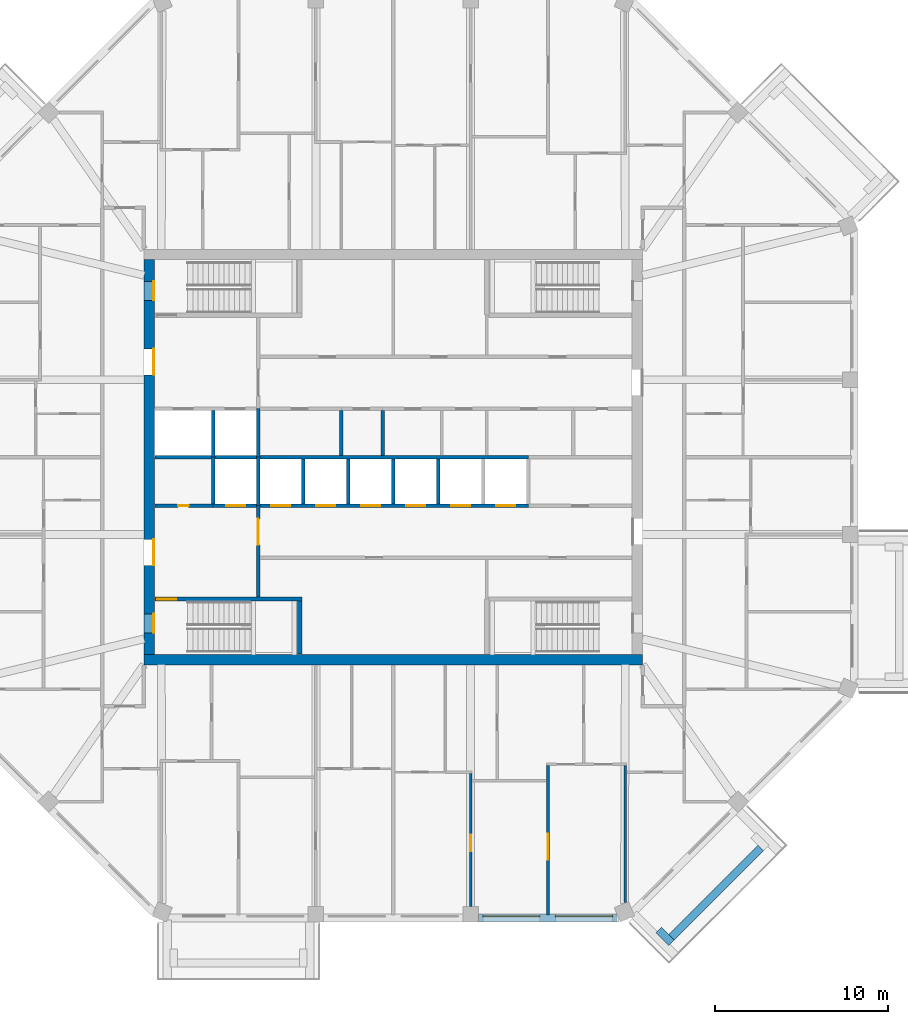
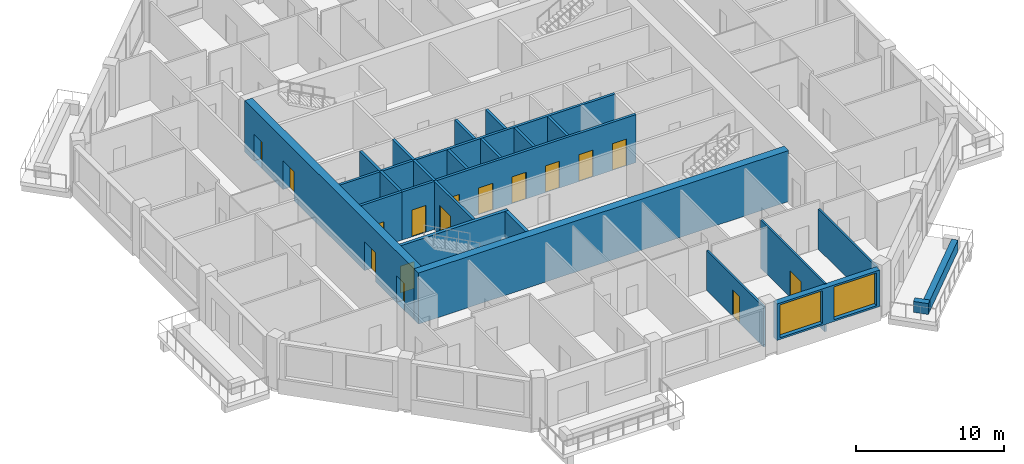
# One storey, part 4 of 11: 24 walls, 16 doors, 2 windows, 18 openings.
"""IFC4 building model written with IfcOpenShell, lengths in metres."""

from ifc_helpers import new_model, si_unit, direction, frame, frame_2d, origin, place, context, subcontext, project, spatial, rectangle, extrude, material, layer, layer_set, type_object, element, fill, save


model = new_model("IFC4")

# Units and contexts
model_context = context("Model", 3, precision=1e-05, world=origin(), true_north=direction((0.0, 1.0)))
body_context = subcontext(model_context, "Body", "Model", "MODEL_VIEW")
ifc_project = project(units=[si_unit("LENGTHUNIT", "METRE"), si_unit("AREAUNIT", "SQUARE_METRE"), si_unit("VOLUMEUNIT", "CUBIC_METRE"), si_unit("PLANEANGLEUNIT", "RADIAN"), si_unit("MASSUNIT", "GRAM", prefix="KILO")], contexts=[model_context])

# Site, building, storey
site_placement = place(None, origin())
site = spatial("IfcSite", under=ifc_project, at=site_placement, CompositionType="ELEMENT")
building_placement = place(site_placement, origin())
building = spatial("IfcBuilding", under=site, at=building_placement, Name="Msitu Wima Residences", CompositionType="ELEMENT")
storey_placement = place(building_placement, frame((0.0, 0.0, 230.699951171875)))
storey = spatial("IfcBuildingStorey", under=building, at=storey_placement, Name="L53", CompositionType="ELEMENT", Elevation=230.699951171875)

# Walls
ifc_material_1 = material(Name="Facing brick")
ifc_layer_1 = layer(ifc_material_1, 0.06494140625, Name="Facing brick")
ifc_material_2 = material(Name="Concrete C40/50", Category="concrete")
ifc_layer_2 = layer(ifc_material_2, 0.156005859375, Name="Concrete C40/50")
ifc_material_3 = material(Name="Waterproofing membrane")
ifc_layer_3 = layer(ifc_material_3, 0.00390625, Name="Waterproofing membrane")
ifc_material_4 = material(Name="Planting soil and planting")
ifc_layer_4 = layer(ifc_material_4, 0.22509765625, Name="Planting soil and planting")
ifc_layer_set_1 = layer_set([ifc_layer_1, ifc_layer_2, ifc_layer_3, ifc_layer_4], Name="Concrete C40/50")
wall_type_1 = type_object("IfcWallType", Name="Balcony planter PLANTER PL450", PredefinedType="USERDEFINED", material=ifc_layer_set_1)
wall_1_placement = place(storey_placement, frame((16.0751953125, -27.725830078125, 0.0), z_axis=(0.0, 0.0, 1.0), x_axis=(0.707106781187, 0.707106781187, 0.0)))
element("IfcWall", 1, at=wall_1_placement, inside=storey, type_object=wall_type_1, Name="Balcony planter SE0 L53", ObjectType="PLANTER", PredefinedType="USERDEFINED", context=body_context, shape_type="SweptSolid", body=[
    extrude(rectangle(XDim=7.288330078125, YDim=0.449951171875, at=frame_2d((3.64404296875, 0.0))), origin(), (0.0, 0.0, 1.0), 0.900146484375),
])
wall_2_placement = place(storey_placement, frame((15.332763671875, -27.301513671875, 0.0), z_axis=(0.0, 0.0, 1.0), x_axis=(0.707106781187, -0.707106781187, 0.0)))
element("IfcWall", 2, at=wall_2_placement, inside=storey, type_object=wall_type_1, Name="Balcony planter SE0 L53", ObjectType="PLANTER", PredefinedType="USERDEFINED", context=body_context, shape_type="SweptSolid", body=[
    extrude(rectangle(XDim=1.050048828125, YDim=0.449951171875, at=frame_2d((0.52490234375, 0.0))), origin(), (0.0, 0.0, 1.0), 0.900146484375),
])

# Wall, openings, windows
ifc_material_5 = material(Name="Brick (red buff mix)", Category="masonry")
ifc_layer_5 = layer(ifc_material_5, 0.449951171875)
ifc_layer_set_2 = layer_set([ifc_layer_5], Name="Brick (red buff mix)")
wall_type_2 = type_object("IfcWallType", Name="Brick infill wall BW450", PredefinedType="SOLIDWALL", material=ifc_layer_set_2)
wall_3_placement = place(storey_placement, frame((4.918701171875, -26.625, 0.900146484375), z_axis=(0.0, 0.0, 1.0), x_axis=(1.0, 0.0, 0.0)))
wall_3 = element("IfcWall", 3, at=wall_3_placement, inside=storey, type_object=wall_type_2, Name="Brick infill wall L53 S2", PredefinedType="SOLIDWALL", context=body_context, shape_type="SweptSolid", body=[
    extrude(rectangle(XDim=8.0, YDim=0.449951171875, at=frame_2d((4.0, 0.0))), origin(), (0.0, 0.0, 1.0), 3.0),
])
opening_1_placement = place(wall_3_placement, frame((0.25, 0.0, 0.14990234375)))
opening_1 = element("IfcOpeningElement", 4, at=opening_1_placement, cuts=wall_3, Name="Opening W52-54.020", PredefinedType="OPENING", context=body_context, shape_type="SweptSolid", body=[
    extrude(rectangle(XDim=3.300048828125, YDim=2.699951171875, at=frame_2d((1.64990234375, 1.35009765625))), frame((0.0, 0.23486328125, 0.0), z_axis=(0.0, -1.0, 0.0), x_axis=(1.0, 0.0, 0.0)), (0.0, 0.0, 1.0), 0.469970703125),
])
opening_2_placement = place(wall_3_placement, frame((4.4501953125, 0.0, 0.14990234375)))
opening_2 = element("IfcOpeningElement", 5, at=opening_2_placement, cuts=wall_3, Name="Opening W52-54.021", PredefinedType="OPENING", context=body_context, shape_type="SweptSolid", body=[
    extrude(rectangle(XDim=3.300048828125, YDim=2.699951171875, at=frame_2d((1.64990234375, 1.35009765625))), frame((0.0, 0.23486328125, 0.0), z_axis=(0.0, -1.0, 0.0), x_axis=(1.0, 0.0, 0.0)), (0.0, 0.0, 1.0), 0.469970703125),
])
ifc_material_6 = material(Name="Anodised aluminium, bronze finish, clear low-emissivity double glazing", Category="aluminium")
window_type = type_object("IfcWindowType", Name="Window W3300x2700", PartitioningType="DOUBLE_PANEL_VERTICAL", PredefinedType="WINDOW", material=ifc_material_6)
window_1_placement = place(opening_1_placement, origin())
window_1 = element("IfcWindow", 6, at=window_1_placement, inside=storey, type_object=window_type, Name="Window L53 S2.1", OverallHeight=2.699951171875, OverallWidth=3.300048828125, PartitioningType="SINGLE_PANEL", PredefinedType="WINDOW", context=body_context, shape_type="SweptSolid", body=[
    extrude(rectangle(XDim=3.300048828125, YDim=2.699951171875, at=frame_2d((1.64990234375, 1.35009765625))), frame((0.0, 0.135009765625, 0.0), z_axis=(0.0, -1.0, 0.0), x_axis=(1.0, 0.0, 0.0)), (0.0, 0.0, 1.0), 0.06005859375),
])
fill(opening_1, window_1)
window_2_placement = place(opening_2_placement, origin())
window_2 = element("IfcWindow", 7, at=window_2_placement, inside=storey, type_object=window_type, Name="Window L53 S2.2", OverallHeight=2.699951171875, OverallWidth=3.300048828125, PartitioningType="SINGLE_PANEL", PredefinedType="WINDOW", context=body_context, shape_type="SweptSolid", body=[
    extrude(rectangle(XDim=3.300048828125, YDim=2.699951171875, at=frame_2d((1.64990234375, 1.35009765625))), frame((0.0, 0.135009765625, 0.0), z_axis=(0.0, -1.0, 0.0), x_axis=(1.0, 0.0, 0.0)), (0.0, 0.0, 1.0), 0.06005859375),
])
fill(opening_2, window_2)

# Wall
ifc_material_7 = material(Name="Concrete C50/60", Category="concrete")
ifc_layer_6 = layer(ifc_material_7, 0.60009765625)
ifc_layer_set_3 = layer_set([ifc_layer_6], Name="Concrete C50/60")
wall_type_3 = type_object("IfcWallType", Name="Core wall CW600 C50/60", PredefinedType="SHEAR", material=ifc_layer_set_3)
wall_4_placement = place(storey_placement, frame((-14.39990234375, -11.699951171875, 0.0), z_axis=(0.0, 0.0, 1.0), x_axis=(1.0, 0.0, 0.0)))
element("IfcWall", 8, at=wall_4_placement, inside=storey, type_object=wall_type_3, Name="Core wall", PredefinedType="SHEAR", context=body_context, shape_type="SweptSolid", body=[
    extrude(rectangle(XDim=28.7998046875, YDim=0.60009765625, at=frame_2d((14.39990234375, 0.0))), origin(), (0.0, 0.0, 1.0), 4.199951171875),
])

# Wall, openings, doors
wall_5_placement = place(storey_placement, frame((-14.10009765625, -11.39990234375, 0.0), z_axis=(0.0, 0.0, 1.0), x_axis=(0.0, 1.0, 0.0)))
wall_5 = element("IfcWall", 9, at=wall_5_placement, inside=storey, type_object=wall_type_3, Name="Core wall", PredefinedType="SHEAR", context=body_context, shape_type="SweptSolid", body=[
    extrude(rectangle(XDim=22.7998046875, YDim=0.60009765625, at=frame_2d((11.39990234375, 0.0))), origin(), (0.0, 0.0, 1.0), 4.199951171875),
])
opening_3_placement = place(wall_5_placement, frame((20.449951171875, 0.0, 0.0)))
opening_3 = element("IfcOpeningElement", 10, at=opening_3_placement, cuts=wall_5, Name="Opening D52-54.085", PredefinedType="OPENING", context=body_context, shape_type="SweptSolid", body=[
    extrude(rectangle(XDim=1.10009765625, YDim=2.199951171875, at=frame_2d((0.550048828125, 1.10009765625))), frame((0.0, 0.31005859375, 0.0), z_axis=(0.0, -1.0, 0.0), x_axis=(1.0, 0.0, 0.0)), (0.0, 0.0, 1.0), 0.6201171875),
])
opening_4_placement = place(wall_5_placement, frame((1.25, 0.0, 0.0)))
opening_4 = element("IfcOpeningElement", 11, at=opening_4_placement, cuts=wall_5, Name="Opening D52-54.087", PredefinedType="OPENING", context=body_context, shape_type="SweptSolid", body=[
    extrude(rectangle(XDim=1.10009765625, YDim=2.199951171875, at=frame_2d((0.550048828125, 1.10009765625))), frame((0.0, 0.31005859375, 0.0), z_axis=(0.0, -1.0, 0.0), x_axis=(1.0, 0.0, 0.0)), (0.0, 0.0, 1.0), 0.6201171875),
])
opening_5_placement = place(wall_5_placement, frame((16.14990234375, 0.0, 0.0)))
opening_5 = element("IfcOpeningElement", 12, at=opening_5_placement, cuts=wall_5, Name="Opening D52-54.067", PredefinedType="OPENING", context=body_context, shape_type="SweptSolid", body=[
    extrude(rectangle(XDim=1.5, YDim=2.39990234375, at=frame_2d((0.75, 1.199951171875))), frame((0.0, 0.31005859375, 0.0), z_axis=(0.0, -1.0, 0.0), x_axis=(1.0, 0.0, 0.0)), (0.0, 0.0, 1.0), 0.6201171875),
])
opening_6_placement = place(wall_5_placement, frame((5.14990234375, 0.0, 0.0)))
opening_6 = element("IfcOpeningElement", 13, at=opening_6_placement, cuts=wall_5, Name="Opening D52-54.069", PredefinedType="OPENING", context=body_context, shape_type="SweptSolid", body=[
    extrude(rectangle(XDim=1.5, YDim=2.39990234375, at=frame_2d((0.75, 1.199951171875))), frame((0.0, 0.31005859375, 0.0), z_axis=(0.0, -1.0, 0.0), x_axis=(1.0, 0.0, 0.0)), (0.0, 0.0, 1.0), 0.6201171875),
])
ifc_material_8 = material(Name="Steel framed glazed door, fire resisting", Category="steel")
door_type_1 = type_object("IfcDoorType", Name="Lobby door D07 1500x2400", OperationType="DOUBLE_DOOR_SINGLE_SWING", PredefinedType="DOOR", material=ifc_material_8)
door_1_placement = place(opening_5_placement, origin())
door_1 = element("IfcDoor", 14, at=door_1_placement, inside=storey, type_object=door_type_1, Name="Lobby door", OperationType="DOUBLE_DOOR_SINGLE_SWING", OverallHeight=2.39990234375, OverallWidth=1.5, PredefinedType="DOOR", context=body_context, shape_type="SweptSolid", body=[
    extrude(rectangle(XDim=1.5, YDim=2.39990234375, at=frame_2d((0.75, 1.199951171875))), frame((0.0, -0.2451171875, 0.0), z_axis=(0.0, -1.0, 0.0), x_axis=(1.0, 0.0, 0.0)), (0.0, 0.0, 1.0), 0.050048828125),
])
fill(opening_5, door_1)
door_2_placement = place(opening_6_placement, origin())
door_2 = element("IfcDoor", 15, at=door_2_placement, inside=storey, type_object=door_type_1, Name="Lobby door", OperationType="DOUBLE_DOOR_SINGLE_SWING", OverallHeight=2.39990234375, OverallWidth=1.5, PredefinedType="DOOR", context=body_context, shape_type="SweptSolid", body=[
    extrude(rectangle(XDim=1.5, YDim=2.39990234375, at=frame_2d((0.75, 1.199951171875))), frame((0.0, -0.2451171875, 0.0), z_axis=(0.0, -1.0, 0.0), x_axis=(1.0, 0.0, 0.0)), (0.0, 0.0, 1.0), 0.050048828125),
])
fill(opening_6, door_2)
ifc_material_9 = material(Name="Steel door, fire resisting, panic bar", Category="steel")
door_type_2 = type_object("IfcDoorType", Name="Stair door D06 1100x2200", OperationType="SINGLE_SWING_LEFT", PredefinedType="DOOR", material=ifc_material_9)
door_3_placement = place(opening_3_placement, origin())
door_3 = element("IfcDoor", 16, at=door_3_placement, inside=storey, type_object=door_type_2, Name="Stair door", OperationType="SINGLE_SWING_RIGHT", OverallHeight=2.199951171875, OverallWidth=1.10009765625, PredefinedType="DOOR", context=body_context, shape_type="SweptSolid", body=[
    extrude(rectangle(XDim=1.10009765625, YDim=2.199951171875, at=frame_2d((0.550048828125, 1.10009765625))), frame((0.0, -0.2451171875, 0.0), z_axis=(0.0, -1.0, 0.0), x_axis=(1.0, 0.0, 0.0)), (0.0, 0.0, 1.0), 0.050048828125),
])
fill(opening_3, door_3)
door_4_placement = place(opening_4_placement, origin())
door_4 = element("IfcDoor", 17, at=door_4_placement, inside=storey, type_object=door_type_2, Name="Stair door", OperationType="SINGLE_SWING_LEFT", OverallHeight=2.199951171875, OverallWidth=1.10009765625, PredefinedType="DOOR", context=body_context, shape_type="SweptSolid", body=[
    extrude(rectangle(XDim=1.10009765625, YDim=2.199951171875, at=frame_2d((0.550048828125, 1.10009765625))), frame((0.0, -0.2451171875, 0.0), z_axis=(0.0, -1.0, 0.0), x_axis=(1.0, 0.0, 0.0)), (0.0, 0.0, 1.0), 0.050048828125),
])
fill(opening_4, door_4)

# Wall, opening, door
ifc_material_10 = material(Name="Plaster")
ifc_layer_7 = layer(ifc_material_10, 0.011962890625, Name="Plaster")
ifc_material_11 = material(Name="Concrete blockwork", Category="masonry")
ifc_layer_8 = layer(ifc_material_11, 0.176025390625, Name="Concrete blockwork")
ifc_layer_9 = layer(ifc_material_10, 0.011962890625, Name="Plaster")
ifc_layer_set_4 = layer_set([ifc_layer_7, ifc_layer_8, ifc_layer_9], Name="Concrete blockwork")
wall_type_4 = type_object("IfcWallType", Name="Corridor wall FW200", PredefinedType="PARTITIONING", material=ifc_layer_set_4)
wall_6_placement = place(storey_placement, frame((-7.800048828125, -8.074951171875, 0.0), z_axis=(0.0, 0.0, 1.0), x_axis=(0.0, 1.0, 0.0)))
wall_6 = element("IfcWall", 18, at=wall_6_placement, inside=storey, type_object=wall_type_4, Name="Corridor wall", PredefinedType="PARTITIONING", context=body_context, shape_type="SweptSolid", body=[
    extrude(rectangle(XDim=5.27490234375, YDim=0.199951171875, at=frame_2d((2.637451171875, 0.0))), origin(), (0.0, 0.0, 1.0), 3.949951171875),
])
opening_7_placement = place(wall_6_placement, frame((3.0, 0.0, 0.0)))
opening_7 = element("IfcOpeningElement", 19, at=opening_7_placement, cuts=wall_6, Name="Opening D52-54.070", PredefinedType="OPENING", context=body_context, shape_type="SweptSolid", body=[
    extrude(rectangle(XDim=1.5, YDim=2.39990234375, at=frame_2d((0.75, 1.199951171875))), frame((0.0, 0.10986328125, 0.0), z_axis=(0.0, -1.0, 0.0), x_axis=(1.0, 0.0, 0.0)), (0.0, 0.0, 1.0), 0.219970703125),
])
door_5_placement = place(opening_7_placement, origin())
door_5 = element("IfcDoor", 20, at=door_5_placement, inside=storey, type_object=door_type_1, Name="Lobby door", OperationType="DOUBLE_DOOR_SINGLE_SWING", OverallHeight=2.39990234375, OverallWidth=1.5, PredefinedType="DOOR", context=body_context, shape_type="SweptSolid", body=[
    extrude(rectangle(XDim=1.5, YDim=2.39990234375, at=frame_2d((0.75, 1.199951171875))), frame((0.0, 0.02490234375, 0.0), z_axis=(0.0, -1.0, 0.0), x_axis=(1.0, 0.0, 0.0)), (0.0, 0.0, 1.0), 0.050048828125),
])
fill(opening_7, door_5)

ifc_layer_10 = layer(ifc_material_10, 0.011962890625, Name="Plaster")
ifc_layer_11 = layer(ifc_material_11, 0.1259765625, Name="Concrete blockwork")
ifc_layer_12 = layer(ifc_material_10, 0.011962890625, Name="Plaster")
ifc_layer_set_5 = layer_set([ifc_layer_10, ifc_layer_11, ifc_layer_12], Name="Concrete blockwork")
wall_type_5 = type_object("IfcWallType", Name="Partition PW150", PredefinedType="PARTITIONING", material=ifc_layer_set_5)
wall_7_placement = place(storey_placement, frame((4.46875, -25.949951171875, 0.0), z_axis=(0.0, 0.0, 1.0), x_axis=(0.0, 1.0, 0.0)))
wall_7 = element("IfcWall", 21, at=wall_7_placement, inside=storey, type_object=wall_type_5, Name="Partition", PredefinedType="PARTITIONING", context=body_context, shape_type="SweptSolid", body=[
    extrude(rectangle(XDim=7.675048828125, YDim=0.14990234375, at=frame_2d((3.83740234375, 0.0))), origin(), (0.0, 0.0, 1.0), 3.300048828125),
])
opening_8_placement = place(wall_7_placement, frame((3.199951171875, 0.0, 0.0)))
opening_8 = element("IfcOpeningElement", 22, at=opening_8_placement, cuts=wall_7, Name="Opening D52-54.054", PredefinedType="OPENING", context=body_context, shape_type="SweptSolid", body=[
    extrude(rectangle(XDim=0.949951171875, YDim=2.199951171875, at=frame_2d((0.47509765625, 1.10009765625))), frame((0.0, 0.0849609375, 0.0), z_axis=(0.0, -1.0, 0.0), x_axis=(1.0, 0.0, 0.0)), (0.0, 0.0, 1.0), 0.169921875),
])
ifc_material_12 = material(Name="Timber flush door", Category="wood")
door_type_3 = type_object("IfcDoorType", Name="Room door D12 950x2200", OperationType="SINGLE_SWING_LEFT", PredefinedType="DOOR", material=ifc_material_12)
door_6_placement = place(opening_8_placement, origin())
door_6 = element("IfcDoor", 23, at=door_6_placement, inside=storey, type_object=door_type_3, Name="Room door", OperationType="SINGLE_SWING_LEFT", OverallHeight=2.199951171875, OverallWidth=0.949951171875, PredefinedType="DOOR", context=body_context, shape_type="SweptSolid", body=[
    extrude(rectangle(XDim=0.949951171875, YDim=2.199951171875, at=frame_2d((0.47509765625, 1.10009765625))), frame((0.0, 0.02490234375, 0.0), z_axis=(0.0, -1.0, 0.0), x_axis=(1.0, 0.0, 0.0)), (0.0, 0.0, 1.0), 0.050048828125),
])
fill(opening_8, door_6)

wall_8_placement = place(storey_placement, frame((8.937255859375, -26.455078125, 0.0), z_axis=(0.0, 0.0, 1.0), x_axis=(0.0, 1.0, 0.0)))
wall_8 = element("IfcWall", 24, at=wall_8_placement, inside=storey, type_object=wall_type_5, Name="Partition", PredefinedType="PARTITIONING", context=body_context, shape_type="SweptSolid", body=[
    extrude(rectangle(XDim=8.630126953125, YDim=0.14990234375, at=frame_2d((4.31494140625, 0.0))), origin(), (0.0, 0.0, 1.0), 3.949951171875),
])
opening_9_placement = place(wall_8_placement, frame((3.199951171875, 0.0, 0.0)))
opening_9 = element("IfcOpeningElement", 25, at=opening_9_placement, cuts=wall_8, Name="Opening D52-54.062", PredefinedType="OPENING", context=body_context, shape_type="SweptSolid", body=[
    extrude(rectangle(XDim=1.5, YDim=2.199951171875, at=frame_2d((0.75, 1.10009765625))), frame((0.0, 0.0849609375, 0.0), z_axis=(0.0, -1.0, 0.0), x_axis=(1.0, 0.0, 0.0)), (0.0, 0.0, 1.0), 0.169921875),
])
ifc_material_13 = material(Name="Timber double door", Category="wood")
door_type_4 = type_object("IfcDoorType", Name="Double door D04 1500x2200", OperationType="DOUBLE_DOOR_SINGLE_SWING", PredefinedType="DOOR", material=ifc_material_13)
door_7_placement = place(opening_9_placement, origin())
door_7 = element("IfcDoor", 26, at=door_7_placement, inside=storey, type_object=door_type_4, Name="Double door", OperationType="DOUBLE_DOOR_SINGLE_SWING", OverallHeight=2.199951171875, OverallWidth=1.5, PredefinedType="DOOR", context=body_context, shape_type="SweptSolid", body=[
    extrude(rectangle(XDim=1.5, YDim=2.199951171875, at=frame_2d((0.75, 1.10009765625))), frame((0.0, 0.02490234375, 0.0), z_axis=(0.0, -1.0, 0.0), x_axis=(1.0, 0.0, 0.0)), (0.0, 0.0, 1.0), 0.050048828125),
])
fill(opening_9, door_7)

# Wall
wall_9_placement = place(storey_placement, frame((13.406005859375, -25.731201171875, 0.0), z_axis=(0.0, 0.0, 1.0), x_axis=(0.0, 1.0, 0.0)))
element("IfcWall", 27, at=wall_9_placement, inside=storey, type_object=wall_type_5, Name="Partition", PredefinedType="PARTITIONING", context=body_context, shape_type="SweptSolid", body=[
    extrude(rectangle(XDim=7.90625, YDim=0.14990234375, at=frame_2d((3.953125, 0.0))), origin(), (0.0, 0.0, 1.0), 3.300048828125),
])

# Wall, opening, door
ifc_layer_13 = layer(ifc_material_10, 0.011962890625, Name="Plaster")
ifc_material_14 = material(Name="Reinforced concrete blockwork", Category="masonry")
ifc_layer_14 = layer(ifc_material_14, 0.176025390625, Name="Reinforced concrete blockwork")
ifc_layer_15 = layer(ifc_material_10, 0.011962890625, Name="Plaster")
ifc_layer_set_6 = layer_set([ifc_layer_13, ifc_layer_14, ifc_layer_15], Name="Reinforced concrete blockwork")
wall_type_6 = type_object("IfcWallType", Name="Plant and riser wall PL200", PredefinedType="PARTITIONING", material=ifc_layer_set_6)
wall_10_placement = place(storey_placement, frame((-13.77001953125, -2.800048828125, 0.0), z_axis=(0.0, 0.0, 1.0), x_axis=(1.0, 0.0, 0.0)))
wall_10 = element("IfcWall", 28, at=wall_10_placement, inside=storey, type_object=wall_type_6, Name="Plant and riser wall", PredefinedType="PARTITIONING", context=body_context, shape_type="SweptSolid", body=[
    extrude(rectangle(XDim=3.3701171875, YDim=0.199951171875, at=frame_2d((1.68505859375, 0.0))), origin(), (0.0, 0.0, 1.0), 3.949951171875),
])
opening_10_placement = place(wall_10_placement, frame((1.35009765625, 0.0, 0.0)))
opening_10 = element("IfcOpeningElement", 29, at=opening_10_placement, cuts=wall_10, Name="Opening D52-54.084", PredefinedType="OPENING", context=body_context, shape_type="SweptSolid", body=[
    extrude(rectangle(XDim=0.60009765625, YDim=2.0, at=frame_2d((0.300048828125, 1.0))), frame((0.0, 0.10986328125, 0.0), z_axis=(0.0, -1.0, 0.0), x_axis=(1.0, 0.0, 0.0)), (0.0, 0.0, 1.0), 0.219970703125),
])
ifc_material_15 = material(Name="Steel access door, fire resisting", Category="steel")
door_type_5 = type_object("IfcDoorType", Name="Riser access door D08 600x2000", OperationType="SINGLE_SWING_LEFT", PredefinedType="DOOR", material=ifc_material_15)
door_8_placement = place(opening_10_placement, origin())
door_8 = element("IfcDoor", 30, at=door_8_placement, inside=storey, type_object=door_type_5, Name="Riser access door", OperationType="SINGLE_SWING_RIGHT", OverallHeight=2.0, OverallWidth=0.60009765625, PredefinedType="DOOR", context=body_context, shape_type="SweptSolid", body=[
    extrude(rectangle(XDim=0.60009765625, YDim=2.0, at=frame_2d((0.300048828125, 1.0))), frame((0.0, 0.02490234375, 0.0), z_axis=(0.0, -1.0, 0.0), x_axis=(1.0, 0.0, 0.0)), (0.0, 0.0, 1.0), 0.050048828125),
])
fill(opening_10, door_8)

# Walls
for number, where, z_axis, x_axis, name in (
    (31, (-3.0, 0.10009765625, 0.0), (0.0, 0.0, 1.0), (0.0, 1.0, 0.0), "Plant and riser wall"),
    (32, (-0.60009765625, 0.10009765625, 0.0), (0.0, 0.0, 1.0), (0.0, 1.0, 0.0), "Plant and riser wall"),
):
    element("IfcWall", number, at=place(storey_placement, frame(where, z_axis=z_axis, x_axis=x_axis)), inside=storey, type_object=wall_type_6, Name=name, PredefinedType="PARTITIONING", context=body_context, shape_type="SweptSolid", body=[
        extrude(rectangle(XDim=2.599853515625, YDim=0.199951171875, at=frame_2d((1.2998046875, 0.0))), origin(), (0.0, 0.0, 1.0), 3.949951171875),
    ])
ifc_material_16 = material(Name="Fire-rated board")
ifc_layer_16 = layer(ifc_material_16, 0.02490234375, Name="Fire-rated board")
ifc_material_17 = material(Name="Light-gauge stud framing with mineral wool")
ifc_layer_17 = layer(ifc_material_17, 0.14990234375, Name="Light-gauge stud framing with mineral wool")
ifc_layer_18 = layer(ifc_material_16, 0.02490234375, Name="Fire-rated board")
ifc_layer_set_7 = layer_set([ifc_layer_16, ifc_layer_17, ifc_layer_18], Name="Light-gauge stud framing with mineral wool")
wall_type_7 = type_object("IfcWallType", Name="Shaft wall SH200", PredefinedType="PARTITIONING", material=ifc_layer_set_7)
wall_11_placement = place(storey_placement, frame((-13.77001953125, 0.0, 0.0), z_axis=(0.0, 0.0, 1.0), x_axis=(1.0, 0.0, 0.0)))
element("IfcWall", 33, at=wall_11_placement, inside=storey, type_object=wall_type_7, Name="Shaft wall", PredefinedType="PARTITIONING", context=body_context, shape_type="SweptSolid", body=[
    extrude(rectangle(XDim=21.570068359375, YDim=0.199951171875, at=frame_2d((10.78515625, 0.0))), origin(), (0.0, 0.0, 1.0), 3.949951171875),
])
wall_12_placement = place(storey_placement, frame((-10.39990234375, -2.699951171875, 0.0), z_axis=(0.0, 0.0, 1.0), x_axis=(0.0, 1.0, 0.0)))
element("IfcWall", 34, at=wall_12_placement, inside=storey, type_object=wall_type_7, Name="Shaft wall", PredefinedType="PARTITIONING", context=body_context, shape_type="SweptSolid", body=[
    extrude(rectangle(XDim=2.699951171875, YDim=0.199951171875, at=frame_2d((1.35009765625, 0.0))), origin(), (0.0, 0.0, 1.0), 3.949951171875),
])

# Wall, openings, doors
wall_13_placement = place(storey_placement, frame((-10.39990234375, -2.800048828125, 0.0), z_axis=(0.0, 0.0, 1.0), x_axis=(1.0, 0.0, 0.0)))
wall_13 = element("IfcWall", 35, at=wall_13_placement, inside=storey, type_object=wall_type_7, Name="Shaft wall", PredefinedType="PARTITIONING", context=body_context, shape_type="SweptSolid", body=[
    extrude(rectangle(XDim=18.199951171875, YDim=0.199951171875, at=frame_2d((9.10009765625, 0.0))), origin(), (0.0, 0.0, 1.0), 3.949951171875),
])
opening_11_placement = place(wall_13_placement, frame((0.75, 0.0, 0.0)))
opening_11 = element("IfcOpeningElement", 36, at=opening_11_placement, cuts=wall_13, Name="Opening LD", PredefinedType="OPENING", context=body_context, shape_type="SweptSolid", body=[
    extrude(rectangle(XDim=1.10009765625, YDim=2.199951171875, at=frame_2d((0.550048828125, 1.10009765625))), frame((0.0, 0.10986328125, 0.0), z_axis=(0.0, -1.0, 0.0), x_axis=(1.0, 0.0, 0.0)), (0.0, 0.0, 1.0), 0.219970703125),
])
opening_12_placement = place(wall_13_placement, frame((3.35009765625, 0.0, 0.0)))
opening_12 = element("IfcOpeningElement", 37, at=opening_12_placement, cuts=wall_13, Name="Opening LD", PredefinedType="OPENING", context=body_context, shape_type="SweptSolid", body=[
    extrude(rectangle(XDim=1.10009765625, YDim=2.199951171875, at=frame_2d((0.550048828125, 1.10009765625))), frame((0.0, 0.10986328125, 0.0), z_axis=(0.0, -1.0, 0.0), x_axis=(1.0, 0.0, 0.0)), (0.0, 0.0, 1.0), 0.219970703125),
])
opening_13_placement = place(wall_13_placement, frame((5.949951171875, 0.0, 0.0)))
opening_13 = element("IfcOpeningElement", 38, at=opening_13_placement, cuts=wall_13, Name="Opening LD", PredefinedType="OPENING", context=body_context, shape_type="SweptSolid", body=[
    extrude(rectangle(XDim=1.10009765625, YDim=2.199951171875, at=frame_2d((0.550048828125, 1.10009765625))), frame((0.0, 0.10986328125, 0.0), z_axis=(0.0, -1.0, 0.0), x_axis=(1.0, 0.0, 0.0)), (0.0, 0.0, 1.0), 0.219970703125),
])
opening_14_placement = place(wall_13_placement, frame((8.550048828125, 0.0, 0.0)))
opening_14 = element("IfcOpeningElement", 39, at=opening_14_placement, cuts=wall_13, Name="Opening LD", PredefinedType="OPENING", context=body_context, shape_type="SweptSolid", body=[
    extrude(rectangle(XDim=1.10009765625, YDim=2.199951171875, at=frame_2d((0.550048828125, 1.10009765625))), frame((0.0, 0.10986328125, 0.0), z_axis=(0.0, -1.0, 0.0), x_axis=(1.0, 0.0, 0.0)), (0.0, 0.0, 1.0), 0.219970703125),
])
opening_15_placement = place(wall_13_placement, frame((11.14990234375, 0.0, 0.0)))
opening_15 = element("IfcOpeningElement", 40, at=opening_15_placement, cuts=wall_13, Name="Opening LD", PredefinedType="OPENING", context=body_context, shape_type="SweptSolid", body=[
    extrude(rectangle(XDim=1.10009765625, YDim=2.199951171875, at=frame_2d((0.550048828125, 1.10009765625))), frame((0.0, 0.10986328125, 0.0), z_axis=(0.0, -1.0, 0.0), x_axis=(1.0, 0.0, 0.0)), (0.0, 0.0, 1.0), 0.219970703125),
])
opening_16_placement = place(wall_13_placement, frame((13.75, 0.0, 0.0)))
opening_16 = element("IfcOpeningElement", 41, at=opening_16_placement, cuts=wall_13, Name="Opening LD", PredefinedType="OPENING", context=body_context, shape_type="SweptSolid", body=[
    extrude(rectangle(XDim=1.10009765625, YDim=2.199951171875, at=frame_2d((0.550048828125, 1.10009765625))), frame((0.0, 0.10986328125, 0.0), z_axis=(0.0, -1.0, 0.0), x_axis=(1.0, 0.0, 0.0)), (0.0, 0.0, 1.0), 0.219970703125),
])
opening_17_placement = place(wall_13_placement, frame((16.35009765625, 0.0, 0.0)))
opening_17 = element("IfcOpeningElement", 42, at=opening_17_placement, cuts=wall_13, Name="Opening LD", PredefinedType="OPENING", context=body_context, shape_type="SweptSolid", body=[
    extrude(rectangle(XDim=1.10009765625, YDim=2.199951171875, at=frame_2d((0.550048828125, 1.10009765625))), frame((0.0, 0.10986328125, 0.0), z_axis=(0.0, -1.0, 0.0), x_axis=(1.0, 0.0, 0.0)), (0.0, 0.0, 1.0), 0.219970703125),
])
ifc_material_18 = material(Name="Stainless steel centre-opening landing door, rated", Category="steel")
door_type_6 = type_object("IfcDoorType", Name="Lift landing door LD 1100x2200", OperationType="DOUBLE_DOOR_SLIDING", PredefinedType="DOOR", material=ifc_material_18)
door_9_placement = place(opening_11_placement, origin())
door_9 = element("IfcDoor", 43, at=door_9_placement, inside=storey, type_object=door_type_6, Name="Lift landing door LD3", OperationType="DOUBLE_DOOR_SLIDING", OverallHeight=2.199951171875, OverallWidth=1.10009765625, PredefinedType="DOOR", context=body_context, shape_type="SweptSolid", body=[
    extrude(rectangle(XDim=1.10009765625, YDim=2.199951171875, at=frame_2d((0.550048828125, 1.10009765625))), frame((0.0, 0.02490234375, 0.0), z_axis=(0.0, -1.0, 0.0), x_axis=(1.0, 0.0, 0.0)), (0.0, 0.0, 1.0), 0.050048828125),
])
fill(opening_11, door_9)
door_10_placement = place(opening_12_placement, origin())
door_10 = element("IfcDoor", 44, at=door_10_placement, inside=storey, type_object=door_type_6, Name="Lift landing door LD5", OperationType="DOUBLE_DOOR_SLIDING", OverallHeight=2.199951171875, OverallWidth=1.10009765625, PredefinedType="DOOR", context=body_context, shape_type="SweptSolid", body=[
    extrude(rectangle(XDim=1.10009765625, YDim=2.199951171875, at=frame_2d((0.550048828125, 1.10009765625))), frame((0.0, 0.02490234375, 0.0), z_axis=(0.0, -1.0, 0.0), x_axis=(1.0, 0.0, 0.0)), (0.0, 0.0, 1.0), 0.050048828125),
])
fill(opening_12, door_10)
door_11_placement = place(opening_13_placement, origin())
door_11 = element("IfcDoor", 45, at=door_11_placement, inside=storey, type_object=door_type_6, Name="Lift landing door LD7", OperationType="DOUBLE_DOOR_SLIDING", OverallHeight=2.199951171875, OverallWidth=1.10009765625, PredefinedType="DOOR", context=body_context, shape_type="SweptSolid", body=[
    extrude(rectangle(XDim=1.10009765625, YDim=2.199951171875, at=frame_2d((0.550048828125, 1.10009765625))), frame((0.0, 0.02490234375, 0.0), z_axis=(0.0, -1.0, 0.0), x_axis=(1.0, 0.0, 0.0)), (0.0, 0.0, 1.0), 0.050048828125),
])
fill(opening_13, door_11)
door_12_placement = place(opening_14_placement, origin())
door_12 = element("IfcDoor", 46, at=door_12_placement, inside=storey, type_object=door_type_6, Name="Lift landing door LD9", OperationType="DOUBLE_DOOR_SLIDING", OverallHeight=2.199951171875, OverallWidth=1.10009765625, PredefinedType="DOOR", context=body_context, shape_type="SweptSolid", body=[
    extrude(rectangle(XDim=1.10009765625, YDim=2.199951171875, at=frame_2d((0.550048828125, 1.10009765625))), frame((0.0, 0.02490234375, 0.0), z_axis=(0.0, -1.0, 0.0), x_axis=(1.0, 0.0, 0.0)), (0.0, 0.0, 1.0), 0.050048828125),
])
fill(opening_14, door_12)
door_13_placement = place(opening_15_placement, origin())
door_13 = element("IfcDoor", 47, at=door_13_placement, inside=storey, type_object=door_type_6, Name="Lift landing door LD11", OperationType="DOUBLE_DOOR_SLIDING", OverallHeight=2.199951171875, OverallWidth=1.10009765625, PredefinedType="DOOR", context=body_context, shape_type="SweptSolid", body=[
    extrude(rectangle(XDim=1.10009765625, YDim=2.199951171875, at=frame_2d((0.550048828125, 1.10009765625))), frame((0.0, 0.02490234375, 0.0), z_axis=(0.0, -1.0, 0.0), x_axis=(1.0, 0.0, 0.0)), (0.0, 0.0, 1.0), 0.050048828125),
])
fill(opening_15, door_13)
door_14_placement = place(opening_16_placement, origin())
door_14 = element("IfcDoor", 48, at=door_14_placement, inside=storey, type_object=door_type_6, Name="Lift landing door LD13", OperationType="DOUBLE_DOOR_SLIDING", OverallHeight=2.199951171875, OverallWidth=1.10009765625, PredefinedType="DOOR", context=body_context, shape_type="SweptSolid", body=[
    extrude(rectangle(XDim=1.10009765625, YDim=2.199951171875, at=frame_2d((0.550048828125, 1.10009765625))), frame((0.0, 0.02490234375, 0.0), z_axis=(0.0, -1.0, 0.0), x_axis=(1.0, 0.0, 0.0)), (0.0, 0.0, 1.0), 0.050048828125),
])
fill(opening_16, door_14)
door_15_placement = place(opening_17_placement, origin())
door_15 = element("IfcDoor", 49, at=door_15_placement, inside=storey, type_object=door_type_6, Name="Lift landing door LD15", OperationType="DOUBLE_DOOR_SLIDING", OverallHeight=2.199951171875, OverallWidth=1.10009765625, PredefinedType="DOOR", context=body_context, shape_type="SweptSolid", body=[
    extrude(rectangle(XDim=1.10009765625, YDim=2.199951171875, at=frame_2d((0.550048828125, 1.10009765625))), frame((0.0, 0.02490234375, 0.0), z_axis=(0.0, -1.0, 0.0), x_axis=(1.0, 0.0, 0.0)), (0.0, 0.0, 1.0), 0.050048828125),
])
fill(opening_17, door_15)

# Walls
wall_14_placement = place(storey_placement, frame((-10.39990234375, 0.0, 0.0), z_axis=(0.0, 0.0, 1.0), x_axis=(0.0, 1.0, 0.0)))
element("IfcWall", 50, at=wall_14_placement, inside=storey, type_object=wall_type_7, Name="Shaft wall", PredefinedType="PARTITIONING", context=body_context, shape_type="SweptSolid", body=[
    extrude(rectangle(XDim=2.699951171875, YDim=0.199951171875, at=frame_2d((1.35009765625, 0.0))), origin(), (0.0, 0.0, 1.0), 3.949951171875),
])
for number, where, z_axis, x_axis, name in (
    (51, (-7.800048828125, -2.800048828125, 0.0), (0.0, 0.0, 1.0), (0.0, 1.0, 0.0), "Shaft wall"),
    (52, (-7.800048828125, 0.0, 0.0), (0.0, 0.0, 1.0), (0.0, 1.0, 0.0), "Shaft wall"),
):
    element("IfcWall", number, at=place(storey_placement, frame(where, z_axis=z_axis, x_axis=x_axis)), inside=storey, type_object=wall_type_7, Name=name, PredefinedType="PARTITIONING", context=body_context, shape_type="SweptSolid", body=[
        extrude(rectangle(XDim=2.800048828125, YDim=0.199951171875, at=frame_2d((1.39990234375, 0.0))), origin(), (0.0, 0.0, 1.0), 3.949951171875),
    ])
for number, where, z_axis, x_axis, name in (
    (53, (-5.199951171875, -2.699951171875, 0.0), (0.0, 0.0, 1.0), (0.0, 1.0, 0.0), "Shaft wall"),
    (54, (-2.60009765625, -2.699951171875, 0.0), (0.0, 0.0, 1.0), (0.0, 1.0, 0.0), "Shaft wall"),
    (55, (0.0, -2.699951171875, 0.0), (0.0, 0.0, 1.0), (0.0, 1.0, 0.0), "Shaft wall"),
    (56, (2.60009765625, -2.699951171875, 0.0), (0.0, 0.0, 1.0), (0.0, 1.0, 0.0), "Shaft wall"),
):
    element("IfcWall", number, at=place(storey_placement, frame(where, z_axis=z_axis, x_axis=x_axis)), inside=storey, type_object=wall_type_7, Name=name, PredefinedType="PARTITIONING", context=body_context, shape_type="SweptSolid", body=[
        extrude(rectangle(XDim=2.599853515625, YDim=0.199951171875, at=frame_2d((1.2998046875, 0.0))), origin(), (0.0, 0.0, 1.0), 3.949951171875),
    ])

# Wall, opening, door
ifc_layer_19 = layer(ifc_material_7, 0.25)
ifc_layer_set_8 = layer_set([ifc_layer_19], Name="Concrete C50/60")
wall_type_8 = type_object("IfcWallType", Name="Stair enclosure wall SW250", PredefinedType="SHEAR", material=ifc_layer_set_8)
wall_15_placement = place(storey_placement, frame((-13.77001953125, -8.199951171875, 0.0), z_axis=(0.0, 0.0, 1.0), x_axis=(1.0, 0.0, 0.0)))
wall_15 = element("IfcWall", 57, at=wall_15_placement, inside=storey, type_object=wall_type_8, Name="Stair enclosure wall", PredefinedType="SHEAR", context=body_context, shape_type="SweptSolid", body=[
    extrude(rectangle(XDim=8.4951171875, YDim=0.25, at=frame_2d((4.24755859375, 0.0))), origin(), (0.0, 0.0, 1.0), 3.949951171875),
])
opening_18_placement = place(wall_15_placement, frame((0.14990234375, 0.0, 0.0)))
opening_18 = element("IfcOpeningElement", 58, at=opening_18_placement, cuts=wall_15, Name="Opening D52-54.088", PredefinedType="OPENING", context=body_context, shape_type="SweptSolid", body=[
    extrude(rectangle(XDim=1.10009765625, YDim=2.199951171875, at=frame_2d((0.550048828125, 1.10009765625))), frame((0.0, 0.135009765625, 0.0), z_axis=(0.0, -1.0, 0.0), x_axis=(1.0, 0.0, 0.0)), (0.0, 0.0, 1.0), 0.27001953125),
])
door_16_placement = place(opening_18_placement, origin())
door_16 = element("IfcDoor", 59, at=door_16_placement, inside=storey, type_object=door_type_2, Name="Stair door", OperationType="SINGLE_SWING_RIGHT", OverallHeight=2.199951171875, OverallWidth=1.10009765625, PredefinedType="DOOR", context=body_context, shape_type="SweptSolid", body=[
    extrude(rectangle(XDim=1.10009765625, YDim=2.199951171875, at=frame_2d((0.550048828125, 1.10009765625))), frame((0.0, 0.02490234375, 0.0), z_axis=(0.0, -1.0, 0.0), x_axis=(1.0, 0.0, 0.0)), (0.0, 0.0, 1.0), 0.050048828125),
])
fill(opening_18, door_16)

# Wall
wall_16_placement = place(storey_placement, frame((-5.39990234375, -11.3701171875, 0.0), z_axis=(0.0, 0.0, 1.0), x_axis=(0.0, 1.0, 0.0)))
element("IfcWall", 60, at=wall_16_placement, inside=storey, type_object=wall_type_8, Name="Stair enclosure wall", PredefinedType="SHEAR", context=body_context, shape_type="SweptSolid", body=[
    extrude(rectangle(XDim=3.045166015625, YDim=0.25, at=frame_2d((1.5224609375, 0.0))), origin(), (0.0, 0.0, 1.0), 3.949951171875),
])

save(model, "model.ifc")
